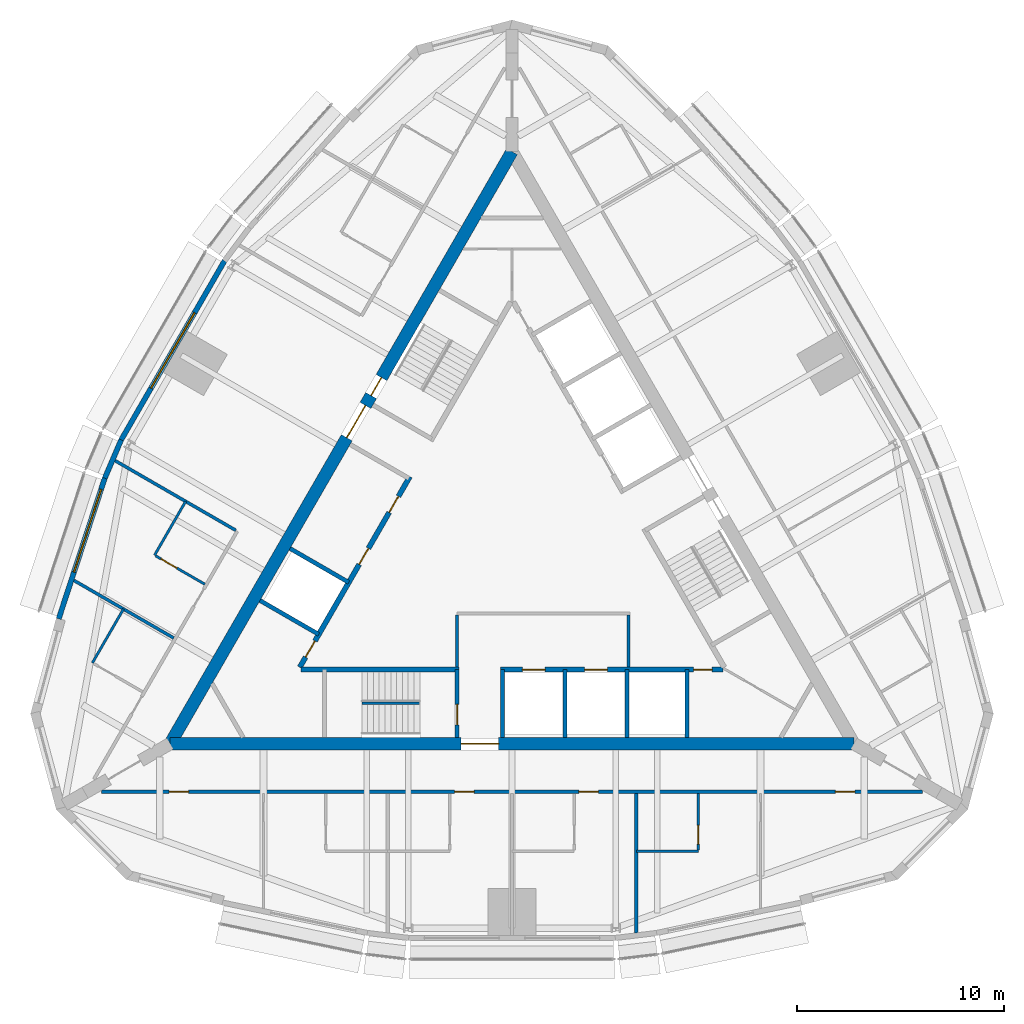
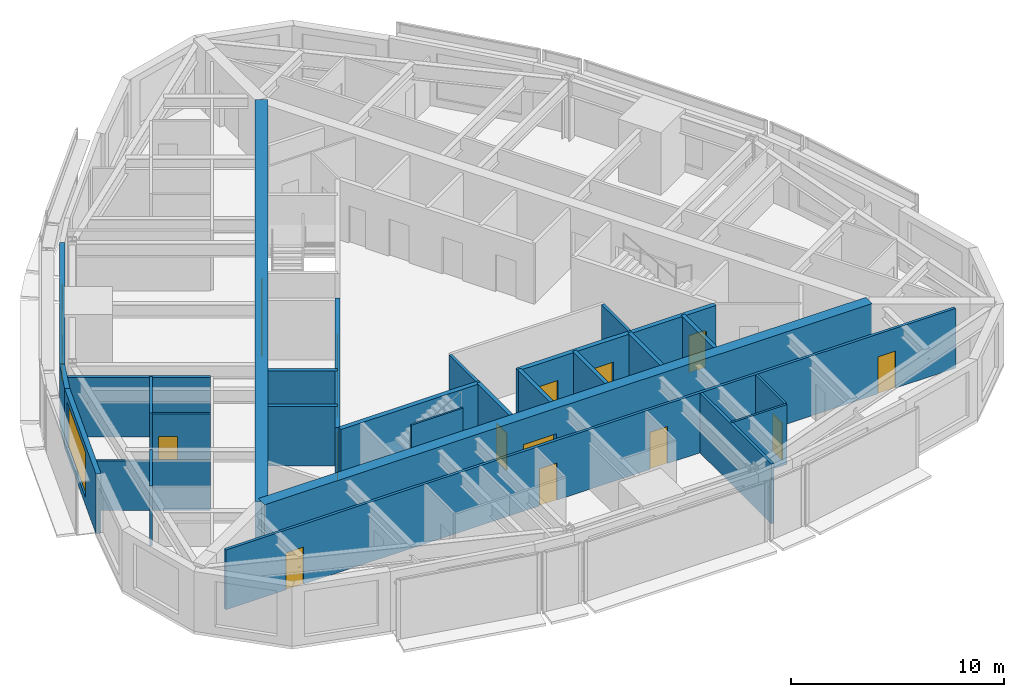
# One storey, part 8 of 12: 27 walls, 16 doors, 2 windows, 18 openings.
"""IFC4 building model written with IfcOpenShell, lengths in metres."""

from ifc_helpers import new_model, si_unit, direction, frame, frame_2d, origin, place, context, subcontext, project, spatial, rectangle, extrude, material, layer, layer_set, type_object, element, fill, save


model = new_model("IFC4")

# Units and contexts
model_context = context("Model", 3, precision=1e-05, world=origin(), true_north=direction((0.0, 1.0)))
body_context = subcontext(model_context, "Body", "Model", "MODEL_VIEW")
ifc_project = project(units=[si_unit("LENGTHUNIT", "METRE"), si_unit("AREAUNIT", "SQUARE_METRE"), si_unit("VOLUMEUNIT", "CUBIC_METRE"), si_unit("PLANEANGLEUNIT", "RADIAN"), si_unit("MASSUNIT", "GRAM", prefix="KILO")], contexts=[model_context])

# Site, building, storey
site_placement = place(None, origin())
site = spatial("IfcSite", under=ifc_project, at=site_placement, CompositionType="ELEMENT")
building_placement = place(site_placement, origin())
building = spatial("IfcBuilding", under=site, at=building_placement, Name="Trikona Tower", CompositionType="ELEMENT")
storey_placement = place(building_placement, frame((0.0, 0.0, 268.10009765625)))
storey = spatial("IfcBuildingStorey", under=building, at=storey_placement, Name="L71", CompositionType="ELEMENT", Elevation=268.10009765625)

# Wall
ifc_material_1 = material(Name="Metal stud and cement board", Category="gypsum")
ifc_layer_1 = layer(ifc_material_1, 0.1201171875)
ifc_layer_set_1 = layer_set([ifc_layer_1], Name="Bathroom wall 120")
wall_type_1 = type_object("IfcWallType", Name="Bathroom wall 120", PredefinedType="PLUMBINGWALL", material=ifc_layer_set_1)
wall_1_placement = place(storey_placement, frame((6.0, -14.726318359375, 0.0), z_axis=(0.0, 0.0, 1.0), x_axis=(1.0, 0.0, 0.0)))
element("IfcWall", 1, at=wall_1_placement, inside=storey, type_object=wall_type_1, Name="Bathroom wall 7104.1", PredefinedType="PLUMBINGWALL", context=body_context, shape_type="SweptSolid", body=[
    extrude(rectangle(XDim=3.0, YDim=0.1201171875, at=frame_2d((1.5, 0.0))), origin(), (0.0, 0.0, 1.0), 3.434814453125),
])

# Wall, opening, door
wall_2_placement = place(storey_placement, frame((9.0, -11.92626953125, 0.0), z_axis=(0.0, 0.0, 1.0), x_axis=(0.0, -1.0, 0.0)))
wall_2 = element("IfcWall", 2, at=wall_2_placement, inside=storey, type_object=wall_type_1, Name="Bathroom wall 7104.1", PredefinedType="PLUMBINGWALL", context=body_context, shape_type="SweptSolid", body=[
    extrude(rectangle(XDim=2.739990234375, YDim=0.1201171875, at=frame_2d((1.3701171875, 0.0))), origin(), (0.0, 0.0, 1.0), 3.434814453125),
])
opening_1_placement = place(wall_2_placement, frame((1.550048828125, 0.0, 0.0)))
opening_1 = element("IfcOpeningElement", 3, at=opening_1_placement, cuts=wall_2, Name="Opening D2", PredefinedType="OPENING", context=body_context, shape_type="SweptSolid", body=[
    extrude(rectangle(XDim=0.89990234375, YDim=2.1298828125, at=frame_2d((0.449951171875, 1.06494140625))), frame((0.0, 0.070068359375, 0.0), z_axis=(0.0, -1.0, 0.0), x_axis=(1.0, 0.0, 0.0)), (0.0, 0.0, 1.0), 0.14013671875),
])
ifc_material_2 = material(Name="Steel door frame with solid-core timber leaf", Category="steel")
door_type_1 = type_object("IfcDoorType", Name="Bathroom door 900x2130", OperationType="SLIDING_TO_LEFT", PredefinedType="DOOR", material=ifc_material_2)
door_1_placement = place(opening_1_placement, origin())
door_1 = element("IfcDoor", 4, at=door_1_placement, inside=storey, type_object=door_type_1, Name="Bathroom door 7104.1", OperationType="SLIDING_TO_LEFT", OverallHeight=2.1298828125, OverallWidth=0.89990234375, PredefinedType="DOOR", context=body_context, shape_type="SweptSolid", body=[
    extrude(rectangle(XDim=0.89990234375, YDim=2.1298828125, at=frame_2d((0.449951171875, 1.06494140625))), frame((0.0, 0.02490234375, 0.0), z_axis=(0.0, -1.0, 0.0), x_axis=(1.0, 0.0, 0.0)), (0.0, 0.0, 1.0), 0.050048828125),
])
fill(opening_1, door_1)

# Wall
wall_3_placement = place(storey_placement, frame((-15.75341796875, 2.1669921875, 0.0), z_axis=(0.0, 0.0, 1.0), x_axis=(-0.499990139034, -0.866031096941, 0.0)))
element("IfcWall", 5, at=wall_3_placement, inside=storey, type_object=wall_type_1, Name="Bathroom wall 7108", PredefinedType="PLUMBINGWALL", context=body_context, shape_type="SweptSolid", body=[
    extrude(rectangle(XDim=3.0, YDim=0.1201171875, at=frame_2d((1.5, 0.0))), origin(), (0.0, 0.0, 1.0), 3.434814453125),
])

# Wall, opening, door
wall_4_placement = place(storey_placement, frame((-14.82861328125, -1.8310546875, 0.0), z_axis=(0.0, 0.0, 1.0), x_axis=(-0.866035715982, 0.499982138324, 0.0)))
wall_4 = element("IfcWall", 6, at=wall_4_placement, inside=storey, type_object=wall_type_1, Name="Bathroom wall 7108", PredefinedType="PLUMBINGWALL", context=body_context, shape_type="SweptSolid", body=[
    extrude(rectangle(XDim=2.73974609375, YDim=0.1201171875, at=frame_2d((1.369873046875, 0.0))), origin(), (0.0, 0.0, 1.0), 3.434814453125),
])
opening_2_placement = place(wall_4_placement, frame((1.550048828125, 0.0, 0.0)))
opening_2 = element("IfcOpeningElement", 7, at=opening_2_placement, cuts=wall_4, Name="Opening D2", PredefinedType="OPENING", context=body_context, shape_type="SweptSolid", body=[
    extrude(rectangle(XDim=0.89990234375, YDim=2.1298828125, at=frame_2d((0.449951171875, 1.06494140625))), frame((0.0, 0.070068359375, 0.0), z_axis=(0.0, -1.0, 0.0), x_axis=(1.0, 0.0, 0.0)), (0.0, 0.0, 1.0), 0.14013671875),
])
door_2_placement = place(opening_2_placement, origin())
door_2 = element("IfcDoor", 8, at=door_2_placement, inside=storey, type_object=door_type_1, Name="Bathroom door 7108", OperationType="SLIDING_TO_LEFT", OverallHeight=2.1298828125, OverallWidth=0.89990234375, PredefinedType="DOOR", context=body_context, shape_type="SweptSolid", body=[
    extrude(rectangle(XDim=0.89990234375, YDim=2.1298828125, at=frame_2d((0.449951171875, 1.06494140625))), frame((0.0, 0.02490234375, 0.0), z_axis=(0.0, -1.0, 0.0), x_axis=(1.0, 0.0, 0.0)), (0.0, 0.0, 1.0), 0.050048828125),
])
fill(opening_2, door_2)

# Wall
wall_5_placement = place(storey_placement, frame((-18.75341796875, -3.029296875, 0.0), z_axis=(0.0, 0.0, 1.0), x_axis=(-0.50002537861, -0.866010750942, 0.0)))
element("IfcWall", 9, at=wall_5_placement, inside=storey, type_object=wall_type_1, Name="Bathroom wall 7109", PredefinedType="PLUMBINGWALL", context=body_context, shape_type="SweptSolid", body=[
    extrude(rectangle(XDim=2.999755859375, YDim=0.1201171875, at=frame_2d((1.5, 0.0))), origin(), (0.0, 0.0, 1.0), 3.434814453125),
])

# Wall, opening, door
ifc_material_3 = material(Name="Concrete f'c 10000 psi", Category="concrete")
ifc_layer_2 = layer(ifc_material_3, 0.60009765625)
ifc_layer_set_2 = layer_set([ifc_layer_2], Name="Core wall 600")
wall_type_2 = type_object("IfcWallType", Name="Core wall 600", PredefinedType="SHEAR", material=ifc_layer_set_2)
wall_6_placement = place(storey_placement, frame((-16.5, -9.5263671875, 0.0), z_axis=(0.0, 0.0, 1.0), x_axis=(1.0, 0.0, 0.0)))
wall_6 = element("IfcWall", 10, at=wall_6_placement, inside=storey, type_object=wall_type_2, Name="Core wall A", PredefinedType="SHEAR", context=body_context, shape_type="SweptSolid", body=[
    extrude(rectangle(XDim=33.0, YDim=0.60009765625, at=frame_2d((16.5, 0.0))), origin(), (0.0, 0.0, 1.0), 3.599853515625),
])
opening_3_placement = place(wall_6_placement, frame((14.050048828125, 0.0, 0.0)))
opening_3 = element("IfcOpeningElement", 11, at=opening_3_placement, cuts=wall_6, Name="Opening D6", PredefinedType="OPENING", context=body_context, shape_type="SweptSolid", body=[
    extrude(rectangle(XDim=1.800048828125, YDim=2.1298828125, at=frame_2d((0.89990234375, 1.06494140625))), frame((0.0, 0.31005859375, 0.0), z_axis=(0.0, -1.0, 0.0), x_axis=(1.0, 0.0, 0.0)), (0.0, 0.0, 1.0), 0.6201171875),
])
ifc_material_4 = material(Name="Hollow metal door and frame", Category="steel")
door_type_2 = type_object("IfcDoorType", Name="Lobby door pair 1800x2130", OperationType="DOUBLE_DOOR_SINGLE_SWING", PredefinedType="DOOR", material=ifc_material_4)
door_3_placement = place(opening_3_placement, origin())
door_3 = element("IfcDoor", 12, at=door_3_placement, inside=storey, type_object=door_type_2, Name="Fire service lift lobby door", OperationType="DOUBLE_DOOR_SINGLE_SWING", OverallHeight=2.1298828125, OverallWidth=1.800048828125, PredefinedType="DOOR", context=body_context, shape_type="SweptSolid", body=[
    extrude(rectangle(XDim=1.800048828125, YDim=2.1298828125, at=frame_2d((0.89990234375, 1.06494140625))), frame((0.0, 0.02490234375, 0.0), z_axis=(0.0, -1.0, 0.0), x_axis=(1.0, 0.0, 0.0)), (0.0, 0.0, 1.0), 0.050048828125),
])
fill(opening_3, door_3)

# Wall, openings, doors
wall_7_placement = place(storey_placement, frame((0.0, 19.052490234375, 0.0), z_axis=(0.0, 0.0, 1.0), x_axis=(-0.499999749417, -0.866025548458, 0.0)))
wall_7 = element("IfcWall", 13, at=wall_7_placement, inside=storey, type_object=wall_type_2, Name="Core wall C", PredefinedType="SHEAR", context=body_context, shape_type="SweptSolid", body=[
    extrude(rectangle(XDim=33.0, YDim=0.60009765625, at=frame_2d((16.5, 0.0))), origin(), (0.0, 0.0, 1.0), 3.599853515625),
])
opening_4_placement = place(wall_7_placement, frame((14.14990234375, 0.0, 0.0)))
opening_4 = element("IfcOpeningElement", 14, at=opening_4_placement, cuts=wall_7, Name="Opening D6", PredefinedType="OPENING", context=body_context, shape_type="SweptSolid", body=[
    extrude(rectangle(XDim=1.800048828125, YDim=2.1298828125, at=frame_2d((0.89990234375, 1.06494140625))), frame((0.0, 0.31005859375, 0.0), z_axis=(0.0, -1.0, 0.0), x_axis=(1.0, 0.0, 0.0)), (0.0, 0.0, 1.0), 0.6201171875),
])
opening_5_placement = place(wall_7_placement, frame((12.60009765625, 0.0, 0.0)))
opening_5 = element("IfcOpeningElement", 15, at=opening_5_placement, cuts=wall_7, Name="Opening D5", PredefinedType="OPENING", context=body_context, shape_type="SweptSolid", body=[
    extrude(rectangle(XDim=1.0, YDim=2.1298828125, at=frame_2d((0.5, 1.06494140625))), frame((0.0, 0.31005859375, 0.0), z_axis=(0.0, -1.0, 0.0), x_axis=(1.0, 0.0, 0.0)), (0.0, 0.0, 1.0), 0.6201171875),
])
door_4_placement = place(opening_4_placement, origin())
door_4 = element("IfcDoor", 16, at=door_4_placement, inside=storey, type_object=door_type_2, Name="Lift lobby door C", OperationType="DOUBLE_DOOR_SINGLE_SWING", OverallHeight=2.1298828125, OverallWidth=1.800048828125, PredefinedType="DOOR", context=body_context, shape_type="SweptSolid", body=[
    extrude(rectangle(XDim=1.800048828125, YDim=2.1298828125, at=frame_2d((0.89990234375, 1.06494140625))), frame((0.0, 0.02490234375, 0.0), z_axis=(0.0, -1.0, 0.0), x_axis=(1.0, 0.0, 0.0)), (0.0, 0.0, 1.0), 0.050048828125),
])
fill(opening_4, door_4)
ifc_material_5 = material(Name="Hollow metal door and frame", Category="steel")
door_type_3 = type_object("IfcDoorType", Name="Stair door 1000x2130", OperationType="SINGLE_SWING_LEFT", PredefinedType="DOOR", material=ifc_material_5)
door_5_placement = place(opening_5_placement, origin())
door_5 = element("IfcDoor", 17, at=door_5_placement, inside=storey, type_object=door_type_3, Name="Stair C door", OperationType="SINGLE_SWING_RIGHT", OverallHeight=2.1298828125, OverallWidth=1.0, PredefinedType="DOOR", context=body_context, shape_type="SweptSolid", body=[
    extrude(rectangle(XDim=1.0, YDim=2.1298828125, at=frame_2d((0.5, 1.06494140625))), frame((0.0, 0.02490234375, 0.0), z_axis=(0.0, -1.0, 0.0), x_axis=(1.0, 0.0, 0.0)), (0.0, 0.0, 1.0), 0.050048828125),
])
fill(opening_5, door_5)

ifc_material_6 = material(Name="Metal stud and gypsum board, 1-hour", Category="gypsum")
ifc_layer_3 = layer(ifc_material_6, 0.14990234375)
ifc_layer_set_3 = layer_set([ifc_layer_3], Name="Corridor wall 150")
wall_type_3 = type_object("IfcWallType", Name="Corridor wall 150", PredefinedType="PARTITIONING", material=ifc_layer_set_3)
wall_8_placement = place(storey_placement, frame((-19.826904296875, -11.851318359375, 0.0), z_axis=(0.0, 0.0, 1.0), x_axis=(1.0, 0.0, 0.0)))
wall_8 = element("IfcWall", 18, at=wall_8_placement, inside=storey, type_object=wall_type_3, Name="Corridor wall L71-1", PredefinedType="PARTITIONING", context=body_context, shape_type="SweptSolid", body=[
    extrude(rectangle(XDim=39.65380859375, YDim=0.14990234375, at=frame_2d((19.826904296875, 0.0))), origin(), (0.0, 0.0, 1.0), 3.434814453125),
])
opening_6_placement = place(wall_8_placement, frame((3.271728515625, 0.0, 0.0)))
opening_6 = element("IfcOpeningElement", 19, at=opening_6_placement, cuts=wall_8, Name="Opening D1", PredefinedType="OPENING", context=body_context, shape_type="SweptSolid", body=[
    extrude(rectangle(XDim=0.949951171875, YDim=2.1298828125, at=frame_2d((0.47509765625, 1.06494140625))), frame((0.0, 0.0849609375, 0.0), z_axis=(0.0, -1.0, 0.0), x_axis=(1.0, 0.0, 0.0)), (0.0, 0.0, 1.0), 0.169921875),
])
opening_7_placement = place(wall_8_placement, frame((17.052001953125, 0.0, 0.0)))
opening_7 = element("IfcOpeningElement", 20, at=opening_7_placement, cuts=wall_8, Name="Opening D1", PredefinedType="OPENING", context=body_context, shape_type="SweptSolid", body=[
    extrude(rectangle(XDim=0.949951171875, YDim=2.1298828125, at=frame_2d((0.47509765625, 1.06494140625))), frame((0.0, 0.0849609375, 0.0), z_axis=(0.0, -1.0, 0.0), x_axis=(1.0, 0.0, 0.0)), (0.0, 0.0, 1.0), 0.169921875),
])
opening_8_placement = place(wall_8_placement, frame((23.052001953125, 0.0, 0.0)))
opening_8 = element("IfcOpeningElement", 21, at=opening_8_placement, cuts=wall_8, Name="Opening D1", PredefinedType="OPENING", context=body_context, shape_type="SweptSolid", body=[
    extrude(rectangle(XDim=0.949951171875, YDim=2.1298828125, at=frame_2d((0.47509765625, 1.06494140625))), frame((0.0, 0.0849609375, 0.0), z_axis=(0.0, -1.0, 0.0), x_axis=(1.0, 0.0, 0.0)), (0.0, 0.0, 1.0), 0.169921875),
])
opening_9_placement = place(wall_8_placement, frame((35.432373046875, 0.0, 0.0)))
opening_9 = element("IfcOpeningElement", 22, at=opening_9_placement, cuts=wall_8, Name="Opening D1", PredefinedType="OPENING", context=body_context, shape_type="SweptSolid", body=[
    extrude(rectangle(XDim=0.949951171875, YDim=2.1298828125, at=frame_2d((0.47509765625, 1.06494140625))), frame((0.0, 0.0849609375, 0.0), z_axis=(0.0, -1.0, 0.0), x_axis=(1.0, 0.0, 0.0)), (0.0, 0.0, 1.0), 0.169921875),
])
ifc_material_7 = material(Name="Steel door frame with solid-core timber leaf", Category="steel")
door_type_4 = type_object("IfcDoorType", Name="Guest room door 950x2130", OperationType="SINGLE_SWING_LEFT", PredefinedType="DOOR", material=ifc_material_7)
door_6_placement = place(opening_6_placement, origin())
door_6 = element("IfcDoor", 23, at=door_6_placement, inside=storey, type_object=door_type_4, Name="Room door 7101", OperationType="SINGLE_SWING_LEFT", OverallHeight=2.1298828125, OverallWidth=0.949951171875, PredefinedType="DOOR", context=body_context, shape_type="SweptSolid", body=[
    extrude(rectangle(XDim=0.949951171875, YDim=2.1298828125, at=frame_2d((0.47509765625, 1.06494140625))), frame((0.0, 0.02490234375, 0.0), z_axis=(0.0, -1.0, 0.0), x_axis=(1.0, 0.0, 0.0)), (0.0, 0.0, 1.0), 0.050048828125),
])
fill(opening_6, door_6)
door_7_placement = place(opening_7_placement, origin())
door_7 = element("IfcDoor", 24, at=door_7_placement, inside=storey, type_object=door_type_4, Name="Room door 7102", OperationType="SINGLE_SWING_RIGHT", OverallHeight=2.1298828125, OverallWidth=0.949951171875, PredefinedType="DOOR", context=body_context, shape_type="SweptSolid", body=[
    extrude(rectangle(XDim=0.949951171875, YDim=2.1298828125, at=frame_2d((0.47509765625, 1.06494140625))), frame((0.0, 0.02490234375, 0.0), z_axis=(0.0, -1.0, 0.0), x_axis=(1.0, 0.0, 0.0)), (0.0, 0.0, 1.0), 0.050048828125),
])
fill(opening_7, door_7)
door_8_placement = place(opening_8_placement, origin())
door_8 = element("IfcDoor", 25, at=door_8_placement, inside=storey, type_object=door_type_4, Name="Room door 7103", OperationType="SINGLE_SWING_LEFT", OverallHeight=2.1298828125, OverallWidth=0.949951171875, PredefinedType="DOOR", context=body_context, shape_type="SweptSolid", body=[
    extrude(rectangle(XDim=0.949951171875, YDim=2.1298828125, at=frame_2d((0.47509765625, 1.06494140625))), frame((0.0, 0.02490234375, 0.0), z_axis=(0.0, -1.0, 0.0), x_axis=(1.0, 0.0, 0.0)), (0.0, 0.0, 1.0), 0.050048828125),
])
fill(opening_8, door_8)
door_9_placement = place(opening_9_placement, origin())
door_9 = element("IfcDoor", 26, at=door_9_placement, inside=storey, type_object=door_type_4, Name="Room door 7104", OperationType="SINGLE_SWING_RIGHT", OverallHeight=2.1298828125, OverallWidth=0.949951171875, PredefinedType="DOOR", context=body_context, shape_type="SweptSolid", body=[
    extrude(rectangle(XDim=0.949951171875, YDim=2.1298828125, at=frame_2d((0.47509765625, 1.06494140625))), frame((0.0, 0.02490234375, 0.0), z_axis=(0.0, -1.0, 0.0), x_axis=(1.0, 0.0, 0.0)), (0.0, 0.0, 1.0), 0.050048828125),
])
fill(opening_9, door_9)

# Wall
ifc_material_8 = material(Name="Concrete f'c 8000 psi", Category="concrete")
ifc_layer_4 = layer(ifc_material_8, 0.25)
ifc_layer_set_4 = layer_set([ifc_layer_4], Name="Hub wall 250")
wall_type_4 = type_object("IfcWallType", Name="Hub wall 250", PredefinedType="SOLIDWALL", material=ifc_layer_set_4)
wall_9_placement = place(storey_placement, frame((-10.182861328125, -5.951416015625, 0.0), z_axis=(0.0, 0.0, 1.0), x_axis=(1.0, 0.0, 0.0)))
element("IfcWall", 27, at=wall_9_placement, inside=storey, type_object=wall_type_4, Name="Lift lobby wall A1", PredefinedType="SOLIDWALL", context=body_context, shape_type="SweptSolid", body=[
    extrude(rectangle(XDim=7.6328125, YDim=0.25, at=frame_2d((3.81640625, 0.0))), origin(), (0.0, 0.0, 1.0), 3.434814453125),
])

# Wall, openings, doors
wall_10_placement = place(storey_placement, frame((-0.550048828125, -5.951416015625, 0.0), z_axis=(0.0, 0.0, 1.0), x_axis=(1.0, 0.0, 0.0)))
wall_10 = element("IfcWall", 28, at=wall_10_placement, inside=storey, type_object=wall_type_4, Name="Lift lobby wall A2", PredefinedType="SOLIDWALL", context=body_context, shape_type="SweptSolid", body=[
    extrude(rectangle(XDim=10.73291015625, YDim=0.25, at=frame_2d((5.366455078125, 0.0))), origin(), (0.0, 0.0, 1.0), 3.434814453125),
])
opening_10_placement = place(wall_10_placement, frame((9.31396484375, 0.0, 0.0)))
opening_10 = element("IfcOpeningElement", 29, at=opening_10_placement, cuts=wall_10, Name="Opening D14", PredefinedType="OPENING", context=body_context, shape_type="SweptSolid", body=[
    extrude(rectangle(XDim=0.89990234375, YDim=2.1298828125, at=frame_2d((0.449951171875, 1.06494140625))), frame((0.0, 0.135009765625, 0.0), z_axis=(0.0, -1.0, 0.0), x_axis=(1.0, 0.0, 0.0)), (0.0, 0.0, 1.0), 0.27001953125),
])
opening_11_placement = place(wall_10_placement, frame((1.050048828125, 0.0, 0.0)))
opening_11 = element("IfcOpeningElement", 30, at=opening_11_placement, cuts=wall_10, Name="Opening LD", PredefinedType="OPENING", context=body_context, shape_type="SweptSolid", body=[
    extrude(rectangle(XDim=1.10009765625, YDim=2.1298828125, at=frame_2d((0.550048828125, 1.06494140625))), frame((0.0, 0.135009765625, 0.0), z_axis=(0.0, -1.0, 0.0), x_axis=(1.0, 0.0, 0.0)), (0.0, 0.0, 1.0), 0.27001953125),
])
opening_12_placement = place(wall_10_placement, frame((4.050048828125, 0.0, 0.0)))
opening_12 = element("IfcOpeningElement", 31, at=opening_12_placement, cuts=wall_10, Name="Opening LD", PredefinedType="OPENING", context=body_context, shape_type="SweptSolid", body=[
    extrude(rectangle(XDim=1.10009765625, YDim=2.1298828125, at=frame_2d((0.550048828125, 1.06494140625))), frame((0.0, 0.135009765625, 0.0), z_axis=(0.0, -1.0, 0.0), x_axis=(1.0, 0.0, 0.0)), (0.0, 0.0, 1.0), 0.27001953125),
])
ifc_material_9 = material(Name="Stainless steel lift landing door", Category="steel")
door_type_5 = type_object("IfcDoorType", Name="Lift landing door 1100x2130", OperationType="DOUBLE_DOOR_SLIDING", PredefinedType="USERDEFINED", material=ifc_material_9)
door_10_placement = place(opening_11_placement, origin())
door_10 = element("IfcDoor", 32, at=door_10_placement, inside=storey, type_object=door_type_5, Name="Lift landing door FF1", ObjectType="LIFT LANDING DOOR", OperationType="DOUBLE_DOOR_SLIDING", OverallHeight=2.1298828125, OverallWidth=1.10009765625, PredefinedType="USERDEFINED", context=body_context, shape_type="SweptSolid", body=[
    extrude(rectangle(XDim=1.10009765625, YDim=2.1298828125, at=frame_2d((0.550048828125, 1.06494140625))), frame((0.0, 0.02490234375, 0.0), z_axis=(0.0, -1.0, 0.0), x_axis=(1.0, 0.0, 0.0)), (0.0, 0.0, 1.0), 0.050048828125),
])
fill(opening_11, door_10)
door_11_placement = place(opening_12_placement, origin())
door_11 = element("IfcDoor", 33, at=door_11_placement, inside=storey, type_object=door_type_5, Name="Lift landing door FF2", ObjectType="LIFT LANDING DOOR", OperationType="DOUBLE_DOOR_SLIDING", OverallHeight=2.1298828125, OverallWidth=1.10009765625, PredefinedType="USERDEFINED", context=body_context, shape_type="SweptSolid", body=[
    extrude(rectangle(XDim=1.10009765625, YDim=2.1298828125, at=frame_2d((0.550048828125, 1.06494140625))), frame((0.0, 0.02490234375, 0.0), z_axis=(0.0, -1.0, 0.0), x_axis=(1.0, 0.0, 0.0)), (0.0, 0.0, 1.0), 0.050048828125),
])
fill(opening_12, door_11)
ifc_material_10 = material(Name="Hollow metal door and frame", Category="steel")
door_type_6 = type_object("IfcDoorType", Name="Service room door 900x2130", OperationType="SINGLE_SWING_LEFT", PredefinedType="DOOR", material=ifc_material_10)
door_12_placement = place(opening_10_placement, origin())
door_12 = element("IfcDoor", 34, at=door_12_placement, inside=storey, type_object=door_type_6, Name="Door Linen store LIN", OperationType="SINGLE_SWING_RIGHT", OverallHeight=2.1298828125, OverallWidth=0.89990234375, PredefinedType="DOOR", context=body_context, shape_type="SweptSolid", body=[
    extrude(rectangle(XDim=0.89990234375, YDim=2.1298828125, at=frame_2d((0.449951171875, 1.06494140625))), frame((0.0, 0.02490234375, 0.0), z_axis=(0.0, -1.0, 0.0), x_axis=(1.0, 0.0, 0.0)), (0.0, 0.0, 1.0), 0.050048828125),
])
fill(opening_10, door_12)

wall_11_placement = place(storey_placement, frame((-4.928955078125, 3.365478515625, 0.0), z_axis=(0.0, 0.0, 1.0), x_axis=(-0.499991433582, -0.866030349552, 0.0)))
wall_11 = element("IfcWall", 35, at=wall_11_placement, inside=storey, type_object=wall_type_4, Name="Lift lobby wall C2", PredefinedType="SOLIDWALL", context=body_context, shape_type="SweptSolid", body=[
    extrude(rectangle(XDim=10.633056640625, YDim=0.25, at=frame_2d((5.31640625, 0.0))), origin(), (0.0, 0.0, 1.0), 3.434814453125),
])
opening_13_placement = place(wall_11_placement, frame((9.1640625, 0.0, 0.0)))
opening_13 = element("IfcOpeningElement", 36, at=opening_13_placement, cuts=wall_11, Name="Opening D14", PredefinedType="OPENING", context=body_context, shape_type="SweptSolid", body=[
    extrude(rectangle(XDim=0.89990234375, YDim=2.1298828125, at=frame_2d((0.449951171875, 1.06494140625))), frame((0.0, 0.135009765625, 0.0), z_axis=(0.0, -1.0, 0.0), x_axis=(1.0, 0.0, 0.0)), (0.0, 0.0, 1.0), 0.27001953125),
])
opening_14_placement = place(wall_11_placement, frame((1.10009765625, 0.0, 0.0)))
opening_14 = element("IfcOpeningElement", 37, at=opening_14_placement, cuts=wall_11, Name="Opening D14", PredefinedType="OPENING", context=body_context, shape_type="SweptSolid", body=[
    extrude(rectangle(XDim=0.89990234375, YDim=2.1298828125, at=frame_2d((0.449951171875, 1.06494140625))), frame((0.0, 0.135009765625, 0.0), z_axis=(0.0, -1.0, 0.0), x_axis=(1.0, 0.0, 0.0)), (0.0, 0.0, 1.0), 0.27001953125),
])
opening_15_placement = place(wall_11_placement, frame((4.0, 0.0, 0.0)))
opening_15 = element("IfcOpeningElement", 38, at=opening_15_placement, cuts=wall_11, Name="Opening D14", PredefinedType="OPENING", context=body_context, shape_type="SweptSolid", body=[
    extrude(rectangle(XDim=0.89990234375, YDim=2.1298828125, at=frame_2d((0.449951171875, 1.06494140625))), frame((0.0, 0.135009765625, 0.0), z_axis=(0.0, -1.0, 0.0), x_axis=(1.0, 0.0, 0.0)), (0.0, 0.0, 1.0), 0.27001953125),
])
door_13_placement = place(opening_13_placement, origin())
door_13 = element("IfcDoor", 39, at=door_13_placement, inside=storey, type_object=door_type_6, Name="Door Housekeeping store HKS", OperationType="SINGLE_SWING_RIGHT", OverallHeight=2.1298828125, OverallWidth=0.89990234375, PredefinedType="DOOR", context=body_context, shape_type="SweptSolid", body=[
    extrude(rectangle(XDim=0.89990234375, YDim=2.1298828125, at=frame_2d((0.449951171875, 1.06494140625))), frame((0.0, 0.02490234375, 0.0), z_axis=(0.0, -1.0, 0.0), x_axis=(1.0, 0.0, 0.0)), (0.0, 0.0, 1.0), 0.050048828125),
])
fill(opening_13, door_13)
door_14_placement = place(opening_14_placement, origin())
door_14 = element("IfcDoor", 40, at=door_14_placement, inside=storey, type_object=door_type_6, Name="Door Guest pantry PAN1", OperationType="SINGLE_SWING_LEFT", OverallHeight=2.1298828125, OverallWidth=0.89990234375, PredefinedType="DOOR", context=body_context, shape_type="SweptSolid", body=[
    extrude(rectangle(XDim=0.89990234375, YDim=2.1298828125, at=frame_2d((0.449951171875, 1.06494140625))), frame((0.0, 0.02490234375, 0.0), z_axis=(0.0, -1.0, 0.0), x_axis=(1.0, 0.0, 0.0)), (0.0, 0.0, 1.0), 0.050048828125),
])
fill(opening_14, door_14)
door_15_placement = place(opening_15_placement, origin())
door_15 = element("IfcDoor", 41, at=door_15_placement, inside=storey, type_object=door_type_6, Name="Door Guest pantry PAN1", OperationType="SINGLE_SWING_RIGHT", OverallHeight=2.1298828125, OverallWidth=0.89990234375, PredefinedType="DOOR", context=body_context, shape_type="SweptSolid", body=[
    extrude(rectangle(XDim=0.89990234375, YDim=2.1298828125, at=frame_2d((0.449951171875, 1.06494140625))), frame((0.0, 0.02490234375, 0.0), z_axis=(0.0, -1.0, 0.0), x_axis=(1.0, 0.0, 0.0)), (0.0, 0.0, 1.0), 0.050048828125),
])
fill(opening_15, door_15)

# Wall, opening, window
ifc_material_11 = material(Name="Insulated precast concrete spandrel panel", Category="concrete")
ifc_layer_5 = layer(ifc_material_11, 0.25)
ifc_layer_set_5 = layer_set([ifc_layer_5], Name="Inner skin wall 250")
wall_type_5 = type_object("IfcWallType", Name="Inner skin wall 250", PredefinedType="STANDARD", material=ifc_layer_set_5)
wall_12_placement = place(storey_placement, frame((-13.87255859375, 13.782958984375, 0.0), z_axis=(0.0, 0.0, 1.0), x_axis=(-0.499993662806, -0.866029062534, 0.0)))
wall_12 = element("IfcWall", 42, at=wall_12_placement, inside=storey, type_object=wall_type_5, Name="External wall L71-20", PredefinedType="STANDARD", context=body_context, shape_type="SweptSolid", body=[
    extrude(rectangle(XDim=10.000244140625, YDim=0.25, at=frame_2d((5.0, 0.0))), origin(), (0.0, 0.0, 1.0), 3.434814453125),
])
opening_16_placement = place(wall_12_placement, frame((2.89990234375, 0.0, 0.449951171875)))
opening_16 = element("IfcOpeningElement", 43, at=opening_16_placement, cuts=wall_12, Name="Opening W4226", PredefinedType="OPENING", context=body_context, shape_type="SweptSolid", body=[
    extrude(rectangle(XDim=4.199951171875, YDim=2.60009765625, at=frame_2d((2.10009765625, 1.300048828125))), frame((0.0, 0.135009765625, 0.0), z_axis=(0.0, -1.0, 0.0), x_axis=(1.0, 0.0, 0.0)), (0.0, 0.0, 1.0), 0.27001953125),
])
ifc_material_12 = material(Name="Aluminium-framed double glazing", Category="aluminium")
window_type = type_object("IfcWindowType", Name="Window 4200x2600", PartitioningType="SINGLE_PANEL", PredefinedType="WINDOW", material=ifc_material_12)
window_1_placement = place(opening_16_placement, origin())
window_1 = element("IfcWindow", 44, at=window_1_placement, inside=storey, type_object=window_type, Name="Window L71-LNG", OverallHeight=2.60009765625, OverallWidth=4.199951171875, PartitioningType="SINGLE_PANEL", PredefinedType="WINDOW", context=body_context, shape_type="SweptSolid", body=[
    extrude(rectangle(XDim=4.199951171875, YDim=2.60009765625, at=frame_2d((2.10009765625, 1.300048828125))), frame((0.0, 0.030029296875, 0.0), z_axis=(0.0, -1.0, 0.0), x_axis=(1.0, 0.0, 0.0)), (0.0, 0.0, 1.0), 0.06005859375),
])
fill(opening_16, window_1)

# Wall
wall_13_placement = place(storey_placement, frame((-18.865966796875, 5.135986328125, 0.0), z_axis=(0.0, 0.0, 1.0), x_axis=(-0.393290226175, -0.91941437774, 0.0)))
element("IfcWall", 45, at=wall_13_placement, inside=storey, type_object=wall_type_5, Name="External wall L71-21", PredefinedType="STANDARD", context=body_context, shape_type="SweptSolid", body=[
    extrude(rectangle(XDim=2.014404296875, YDim=0.25, at=frame_2d((1.00732421875, 0.0))), origin(), (0.0, 0.0, 1.0), 3.434814453125),
])

# Wall, opening, window
wall_14_placement = place(storey_placement, frame((-19.654296875, 3.294189453125, 0.0), z_axis=(0.0, 0.0, 1.0), x_axis=(-0.311328857048, -0.95030223759, 0.0)))
wall_14 = element("IfcWall", 46, at=wall_14_placement, inside=storey, type_object=wall_type_5, Name="External wall L71-22", PredefinedType="STANDARD", context=body_context, shape_type="SweptSolid", body=[
    extrude(rectangle(XDim=7.152587890625, YDim=0.25, at=frame_2d((3.576171875, 0.0))), origin(), (0.0, 0.0, 1.0), 3.434814453125),
])
opening_17_placement = place(wall_14_placement, frame((0.576904296875, 0.0, 0.449951171875)))
opening_17 = element("IfcOpeningElement", 47, at=opening_17_placement, cuts=wall_14, Name="Opening W4226", PredefinedType="OPENING", context=body_context, shape_type="SweptSolid", body=[
    extrude(rectangle(XDim=4.199951171875, YDim=2.60009765625, at=frame_2d((2.10009765625, 1.300048828125))), frame((0.0, 0.135009765625, 0.0), z_axis=(0.0, -1.0, 0.0), x_axis=(1.0, 0.0, 0.0)), (0.0, 0.0, 1.0), 0.27001953125),
])
window_2_placement = place(opening_17_placement, origin())
window_2 = element("IfcWindow", 48, at=window_2_placement, inside=storey, type_object=window_type, Name="Window 7108", OverallHeight=2.60009765625, OverallWidth=4.199951171875, PartitioningType="SINGLE_PANEL", PredefinedType="WINDOW", context=body_context, shape_type="SweptSolid", body=[
    extrude(rectangle(XDim=4.199951171875, YDim=2.60009765625, at=frame_2d((2.10009765625, 1.300048828125))), frame((0.0, 0.030029296875, 0.0), z_axis=(0.0, -1.0, 0.0), x_axis=(1.0, 0.0, 0.0)), (0.0, 0.0, 1.0), 0.06005859375),
])
fill(opening_17, window_2)

# Walls
ifc_material_13 = material(Name="Metal stud and gypsum board, 2-hour shaft wall", Category="gypsum")
ifc_layer_6 = layer(ifc_material_13, 0.14990234375)
ifc_layer_set_6 = layer_set([ifc_layer_6], Name="Lobby wall 150")
wall_type_6 = type_object("IfcWallType", Name="Lobby wall 150", PredefinedType="PARTITIONING", material=ifc_layer_set_6)
for number, where, z_axis, x_axis, name in (
    (49, (-2.64990234375, -5.826416015625, 0.0), (0.0, 0.0, 1.0), (0.0, 1.0, 0.0), "Fire service lift lobby wall 2"),
    (50, (5.625, -5.826416015625, 0.0), (0.0, 0.0, 1.0), (0.0, 1.0, 0.0), "Fire service lift lobby wall 3"),
):
    element("IfcWall", number, at=place(storey_placement, frame(where, z_axis=z_axis, x_axis=x_axis)), inside=storey, type_object=wall_type_6, Name=name, PredefinedType="PARTITIONING", context=body_context, shape_type="SweptSolid", body=[
        extrude(rectangle(XDim=2.5, YDim=0.14990234375, at=frame_2d((1.25, 0.0))), origin(), (0.0, 0.0, 1.0), 3.434814453125),
    ])
ifc_material_14 = material(Name="Metal stud and gypsum board, 1-hour acoustic", Category="gypsum")
ifc_layer_7 = layer(ifc_material_14, 0.14990234375)
ifc_layer_set_7 = layer_set([ifc_layer_7], Name="Party wall 150")
wall_type_7 = type_object("IfcWallType", Name="Party wall 150", PredefinedType="PARTITIONING", material=ifc_layer_set_7)
for number, where, z_axis, x_axis, name in (
    (51, (6.0, -11.92626953125, 0.0), (0.0, 0.0, 1.0), (0.0, -1.0, 0.0), "Partition L71 F1 u6"),
    (52, (-13.32861328125, 0.76708984375, 0.0), (0.0, 0.0, 1.0), (-0.866020720842, 0.500008111007, 0.0), "Partition L71 F3 u6"),
):
    element("IfcWall", number, at=place(storey_placement, frame(where, z_axis=z_axis, x_axis=x_axis)), inside=storey, type_object=wall_type_7, Name=name, PredefinedType="PARTITIONING", context=body_context, shape_type="SweptSolid", body=[
        extrude(rectangle(XDim=6.732421875, YDim=0.14990234375, at=frame_2d((3.3662109375, 0.0))), origin(), (0.0, 0.0, 1.0), 3.434814453125),
    ])
wall_15_placement = place(storey_placement, frame((-16.32861328125, -4.42919921875, 0.0), z_axis=(0.0, 0.0, 1.0), x_axis=(-0.866029066823, 0.499993655377, 0.0)))
element("IfcWall", 53, at=wall_15_placement, inside=storey, type_object=wall_type_7, Name="Partition L71 F3 u12", PredefinedType="PARTITIONING", context=body_context, shape_type="SweptSolid", body=[
    extrude(rectangle(XDim=5.55859375, YDim=0.14990234375, at=frame_2d((2.779296875, 0.0))), origin(), (0.0, 0.0, 1.0), 2.82275390625),
])
ifc_material_15 = material(Name="Concrete f'c 8000 psi", Category="concrete")
ifc_layer_8 = layer(ifc_material_15, 0.199951171875)
ifc_layer_set_8 = layer_set([ifc_layer_8], Name="Shaft wall 200")
wall_type_8 = type_object("IfcWallType", Name="Shaft wall 200", PredefinedType="SOLIDWALL", material=ifc_layer_set_8)
for number, where, z_axis, x_axis, name in (
    (54, (-0.449951171875, -5.951416015625, 0.0), (0.0, 0.0, 1.0), (0.0, -1.0, 0.0), "Shaft wall A3"),
    (55, (2.550048828125, -5.951416015625, 0.0), (0.0, 0.0, 1.0), (0.0, -1.0, 0.0), "Shaft wall A4"),
    (56, (5.550048828125, -5.951416015625, 0.0), (0.0, 0.0, 1.0), (0.0, -1.0, 0.0), "Shaft wall A5"),
    (57, (8.449951171875, -5.951416015625, 0.0), (0.0, 0.0, 1.0), (0.0, -1.0, 0.0), "Shaft wall A6"),
    (58, (-7.87890625, -1.744140625, 0.0), (0.0, 0.0, 1.0), (-0.866027924134, 0.499995634601, 0.0), "Shaft wall C5"),
    (59, (-9.3291015625, -4.255615234375, 0.0), (0.0, 0.0, 1.0), (-0.866027924134, 0.499995634601, 0.0), "Shaft wall C6"),
):
    element("IfcWall", number, at=place(storey_placement, frame(where, z_axis=z_axis, x_axis=x_axis)), inside=storey, type_object=wall_type_8, Name=name, PredefinedType="SOLIDWALL", context=body_context, shape_type="SweptSolid", body=[
        extrude(rectangle(XDim=3.27490234375, YDim=0.199951171875, at=frame_2d((1.637451171875, 0.0))), origin(), (0.0, 0.0, 1.0), 3.434814453125),
    ])

# Wall, opening, door
ifc_material_16 = material(Name="Concrete f'c 8000 psi", Category="concrete")
ifc_layer_9 = layer(ifc_material_16, 0.199951171875)
ifc_layer_set_9 = layer_set([ifc_layer_9], Name="Shaft wall 200 load-bearing")
wall_type_9 = type_object("IfcWallType", Name="Shaft wall 200 load-bearing", PredefinedType="SOLIDWALL", material=ifc_layer_set_9)
wall_16_placement = place(storey_placement, frame((-2.64990234375, -5.951416015625, 0.0), z_axis=(0.0, 0.0, 1.0), x_axis=(0.0, -1.0, 0.0)))
wall_16 = element("IfcWall", 60, at=wall_16_placement, inside=storey, type_object=wall_type_9, Name="Shaft wall A2", PredefinedType="SOLIDWALL", context=body_context, shape_type="SweptSolid", body=[
    extrude(rectangle(XDim=3.27490234375, YDim=0.199951171875, at=frame_2d((1.637451171875, 0.0))), origin(), (0.0, 0.0, 1.0), 3.434814453125),
])
opening_18_placement = place(wall_16_placement, frame((1.675048828125, 0.0, 0.0)))
opening_18 = element("IfcOpeningElement", 61, at=opening_18_placement, cuts=wall_16, Name="Opening D5", PredefinedType="OPENING", context=body_context, shape_type="SweptSolid", body=[
    extrude(rectangle(XDim=1.0, YDim=2.1298828125, at=frame_2d((0.5, 1.06494140625))), frame((0.0, 0.10986328125, 0.0), z_axis=(0.0, -1.0, 0.0), x_axis=(1.0, 0.0, 0.0)), (0.0, 0.0, 1.0), 0.219970703125),
])
door_16_placement = place(opening_18_placement, origin())
door_16 = element("IfcDoor", 62, at=door_16_placement, inside=storey, type_object=door_type_3, Name="Stair A door", OperationType="SINGLE_SWING_RIGHT", OverallHeight=2.1298828125, OverallWidth=1.0, PredefinedType="DOOR", context=body_context, shape_type="SweptSolid", body=[
    extrude(rectangle(XDim=1.0, YDim=2.1298828125, at=frame_2d((0.5, 1.06494140625))), frame((0.0, 0.02490234375, 0.0), z_axis=(0.0, -1.0, 0.0), x_axis=(1.0, 0.0, 0.0)), (0.0, 0.0, 1.0), 0.050048828125),
])
fill(opening_18, door_16)

# Wall
ifc_material_17 = material(Name="Concrete f'c 5000 psi", Category="concrete")
ifc_layer_10 = layer(ifc_material_17, 0.10009765625)
ifc_layer_set_10 = layer_set([ifc_layer_10], Name="Stair spine wall 100")
wall_type_10 = type_object("IfcWallType", Name="Stair spine wall 100", PredefinedType="SOLIDWALL", material=ifc_layer_set_10)
wall_17_placement = place(storey_placement, frame((-7.2470703125, -7.576416015625, 0.0), z_axis=(0.0, 0.0, 1.0), x_axis=(1.0, 0.0, 0.0)))
element("IfcWall", 63, at=wall_17_placement, inside=storey, type_object=wall_type_10, Name="Stair A spine wall L71", PredefinedType="SOLIDWALL", context=body_context, shape_type="SweptSolid", body=[
    extrude(rectangle(XDim=2.794189453125, YDim=0.10009765625, at=frame_2d((1.39697265625, 0.0))), origin(), (0.0, 0.0, 1.0), 3.599853515625),
])

save(model, "model.ifc")
